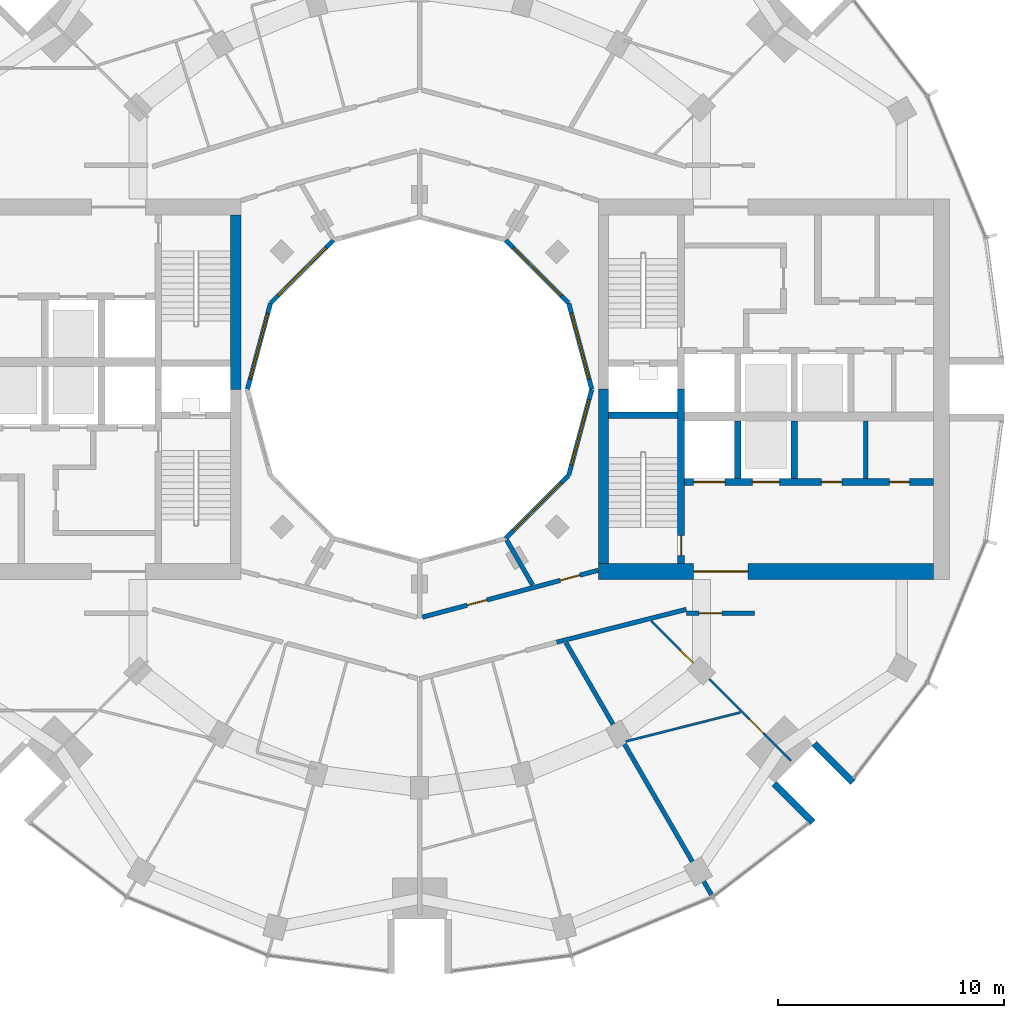
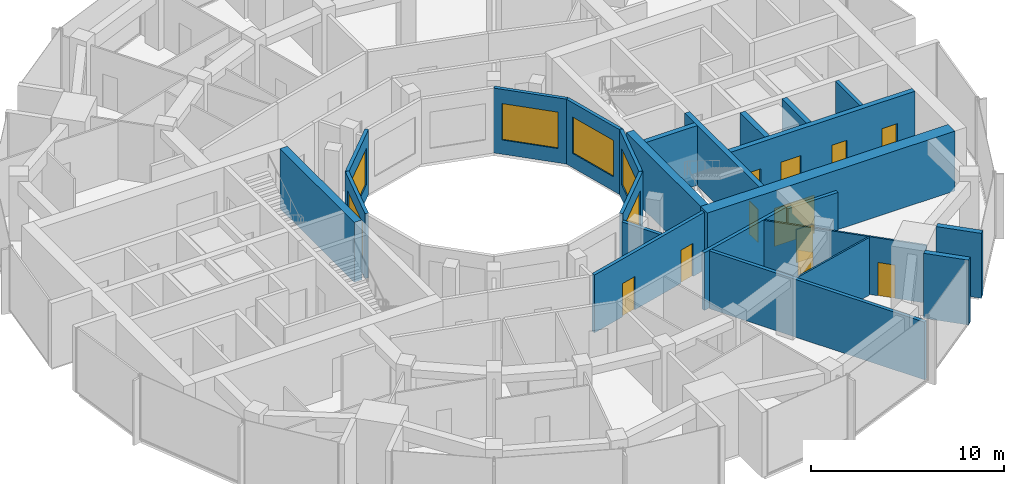
# One storey, part 10 of 15: 24 walls, 11 doors, 6 windows, 17 openings.
"""IFC4 building model written with IfcOpenShell, lengths in metres."""

from ifc_helpers import new_model, si_unit, direction, frame, frame_2d, origin, place, context, subcontext, project, spatial, rectangle, extrude, material, layer, layer_set, type_object, element, fill, save


model = new_model("IFC4")

# Units and contexts
model_context = context("Model", 3, precision=1e-05, world=origin(), true_north=direction((0.0, 1.0)))
body_context = subcontext(model_context, "Body", "Model", "MODEL_VIEW")
ifc_project = project(units=[si_unit("LENGTHUNIT", "METRE"), si_unit("AREAUNIT", "SQUARE_METRE"), si_unit("VOLUMEUNIT", "CUBIC_METRE"), si_unit("PLANEANGLEUNIT", "RADIAN"), si_unit("MASSUNIT", "GRAM", prefix="KILO")], contexts=[model_context])

# Site, building, storey
site_placement = place(None, origin())
site = spatial("IfcSite", under=ifc_project, at=site_placement, CompositionType="ELEMENT")
building_placement = place(site_placement, origin())
building = spatial("IfcBuilding", under=site, at=building_placement, Name="Torre Brocal", CompositionType="ELEMENT")
storey_placement = place(building_placement, frame((0.0, 0.0, 161.800048828125)))
storey = spatial("IfcBuildingStorey", under=building, at=storey_placement, Name="L37", CompositionType="ELEMENT", Elevation=161.800048828125)

# Wall
ifc_material_1 = material(Name="Masonry block", Category="masonry")
ifc_layer_1 = layer(ifc_material_1, 0.199951171875)
ifc_layer_set_1 = layer_set([ifc_layer_1], Name="Masonry block")
wall_type_1 = type_object("IfcWallType", Name="CORE PARTITION 200", PredefinedType="PARTITIONING", material=ifc_layer_set_1)
wall_1_placement = place(storey_placement, frame((99.699951171875, 71.050048828125, 0.0), z_axis=(0.0, 0.0, 1.0), x_axis=(0.0, 1.0, 0.0)))
element("IfcWall", 1, at=wall_1_placement, inside=storey, type_object=wall_type_1, Name="Wall CP200", PredefinedType="PARTITIONING", context=body_context, shape_type="SweptSolid", body=[
    extrude(rectangle(XDim=2.550048828125, YDim=0.199951171875, at=frame_2d((1.27490234375, 0.0))), origin(), (0.0, 0.0, 1.0), 3.780029296875),
])

# Wall, opening, door
ifc_material_2 = material(Name="Concrete C70", Category="concrete")
ifc_layer_2 = layer(ifc_material_2, 0.300048828125)
ifc_layer_set_2 = layer_set([ifc_layer_2], Name="Concrete C70")
wall_type_2 = type_object("IfcWallType", Name="CORE WALL 300 C70", PredefinedType="SHEAR", material=ifc_layer_set_2)
wall_2_placement = place(storey_placement, frame((91.550048828125, 67.300048828125, 0.0), z_axis=(0.0, 0.0, 1.0), x_axis=(0.0, 1.0, 0.0)))
wall_2 = element("IfcWall", 2, at=wall_2_placement, inside=storey, type_object=wall_type_2, Name="Wall CW300-70", PredefinedType="SHEAR", context=body_context, shape_type="SweptSolid", body=[
    extrude(rectangle(XDim=7.699951171875, YDim=0.300048828125, at=frame_2d((3.85009765625, 0.0))), origin(), (0.0, 0.0, 1.0), 3.780029296875),
])
opening_1_placement = place(wall_2_placement, frame((0.35009765625, 0.0, 0.0)))
opening_1 = element("IfcOpeningElement", 3, at=opening_1_placement, cuts=wall_2, Name="Opening E-D03", PredefinedType="OPENING", context=body_context, shape_type="SweptSolid", body=[
    extrude(rectangle(XDim=0.89990234375, YDim=2.10009765625, at=frame_2d((0.449951171875, 1.050048828125))), frame((0.0, 0.159912109375, 0.0), z_axis=(0.0, -1.0, 0.0), x_axis=(1.0, 0.0, 0.0)), (0.0, 0.0, 1.0), 0.320068359375),
])
ifc_material_3 = material(Name="Steel A653", Category="steel")
door_type_1 = type_object("IfcDoorType", Name="STAIR DOOR FD120 900X2100", OperationType="SINGLE_SWING_RIGHT", PredefinedType="DOOR", material=ifc_material_3)
door_1_placement = place(opening_1_placement, origin())
door_1 = element("IfcDoor", 4, at=door_1_placement, inside=storey, type_object=door_type_1, Name="Door E-D03", OperationType="SINGLE_SWING_LEFT", OverallHeight=2.10009765625, OverallWidth=0.89990234375, PredefinedType="DOOR", context=body_context, shape_type="SweptSolid", body=[
    extrude(rectangle(XDim=0.89990234375, YDim=2.10009765625, at=frame_2d((0.449951171875, 1.050048828125))), frame((0.0, 0.02490234375, 0.0), z_axis=(0.0, -1.0, 0.0), x_axis=(1.0, 0.0, 0.0)), (0.0, 0.0, 1.0), 0.050048828125),
])
fill(opening_1, door_1)

# Wall
wall_3_placement = place(storey_placement, frame((88.35009765625, 73.85009765625, 0.0), z_axis=(0.0, 0.0, 1.0), x_axis=(1.0, 0.0, 0.0)))
element("IfcWall", 5, at=wall_3_placement, inside=storey, type_object=wall_type_2, Name="Wall CW300-70", PredefinedType="SHEAR", context=body_context, shape_type="SweptSolid", body=[
    extrude(rectangle(XDim=3.0498046875, YDim=0.300048828125, at=frame_2d((1.52490234375, 0.0))), origin(), (0.0, 0.0, 1.0), 3.780029296875),
])

# Wall, openings, doors
wall_4_placement = place(storey_placement, frame((91.699951171875, 70.89990234375, 0.0), z_axis=(0.0, 0.0, 1.0), x_axis=(1.0, 0.0, 0.0)))
wall_4 = element("IfcWall", 6, at=wall_4_placement, inside=storey, type_object=wall_type_2, Name="Wall CW300-70", PredefinedType="SHEAR", context=body_context, shape_type="SweptSolid", body=[
    extrude(rectangle(XDim=11.0, YDim=0.300048828125, at=frame_2d((5.5, 0.0))), origin(), (0.0, 0.0, 1.0), 3.780029296875),
])
opening_2_placement = place(wall_4_placement, frame((0.39990234375, 0.0, 0.0)))
opening_2 = element("IfcOpeningElement", 7, at=opening_2_placement, cuts=wall_4, Name="Opening LD14", PredefinedType="OPENING", context=body_context, shape_type="SweptSolid", body=[
    extrude(rectangle(XDim=1.39990234375, YDim=2.10009765625, at=frame_2d((0.699951171875, 1.050048828125))), frame((0.0, 0.159912109375, 0.0), z_axis=(0.0, -1.0, 0.0), x_axis=(1.0, 0.0, 0.0)), (0.0, 0.0, 1.0), 0.320068359375),
])
opening_3_placement = place(wall_4_placement, frame((3.0, 0.0, 0.0)))
opening_3 = element("IfcOpeningElement", 8, at=opening_3_placement, cuts=wall_4, Name="Opening LD12", PredefinedType="OPENING", context=body_context, shape_type="SweptSolid", body=[
    extrude(rectangle(XDim=1.199951171875, YDim=2.10009765625, at=frame_2d((0.60009765625, 1.050048828125))), frame((0.0, 0.159912109375, 0.0), z_axis=(0.0, -1.0, 0.0), x_axis=(1.0, 0.0, 0.0)), (0.0, 0.0, 1.0), 0.320068359375),
])
opening_4_placement = place(wall_4_placement, frame((6.050048828125, 0.0, 0.0)))
opening_4 = element("IfcOpeningElement", 9, at=opening_4_placement, cuts=wall_4, Name="Opening E-D06", PredefinedType="OPENING", context=body_context, shape_type="SweptSolid", body=[
    extrude(rectangle(XDim=0.89990234375, YDim=2.10009765625, at=frame_2d((0.449951171875, 1.050048828125))), frame((0.0, 0.159912109375, 0.0), z_axis=(0.0, -1.0, 0.0), x_axis=(1.0, 0.0, 0.0)), (0.0, 0.0, 1.0), 0.320068359375),
])
opening_5_placement = place(wall_4_placement, frame((9.050048828125, 0.0, 0.0)))
opening_5 = element("IfcOpeningElement", 10, at=opening_5_placement, cuts=wall_4, Name="Opening E-D07", PredefinedType="OPENING", context=body_context, shape_type="SweptSolid", body=[
    extrude(rectangle(XDim=0.89990234375, YDim=2.10009765625, at=frame_2d((0.449951171875, 1.050048828125))), frame((0.0, 0.159912109375, 0.0), z_axis=(0.0, -1.0, 0.0), x_axis=(1.0, 0.0, 0.0)), (0.0, 0.0, 1.0), 0.320068359375),
])
ifc_material_4 = material(Name="Stainless steel AISI 316", Category="steel")
door_type_2 = type_object("IfcDoorType", Name="LIFT LANDING DOOR 1200X2100", OperationType="DOUBLE_DOOR_SLIDING", PredefinedType="DOOR", material=ifc_material_4)
door_2_placement = place(opening_3_placement, origin())
door_2 = element("IfcDoor", 11, at=door_2_placement, inside=storey, type_object=door_type_2, Name="Door LD12", OperationType="DOUBLE_DOOR_SLIDING", OverallHeight=2.10009765625, OverallWidth=1.199951171875, PredefinedType="DOOR", context=body_context, shape_type="SweptSolid", body=[
    extrude(rectangle(XDim=1.199951171875, YDim=2.10009765625, at=frame_2d((0.60009765625, 1.050048828125))), frame((0.0, 0.02490234375, 0.0), z_axis=(0.0, -1.0, 0.0), x_axis=(1.0, 0.0, 0.0)), (0.0, 0.0, 1.0), 0.050048828125),
])
fill(opening_3, door_2)
ifc_material_5 = material(Name="Stainless steel AISI 316", Category="steel")
door_type_3 = type_object("IfcDoorType", Name="LIFT LANDING DOOR 1400X2100", OperationType="DOUBLE_DOOR_SLIDING", PredefinedType="DOOR", material=ifc_material_5)
door_3_placement = place(opening_2_placement, origin())
door_3 = element("IfcDoor", 12, at=door_3_placement, inside=storey, type_object=door_type_3, Name="Door LD14", OperationType="DOUBLE_DOOR_SLIDING", OverallHeight=2.10009765625, OverallWidth=1.39990234375, PredefinedType="DOOR", context=body_context, shape_type="SweptSolid", body=[
    extrude(rectangle(XDim=1.39990234375, YDim=2.10009765625, at=frame_2d((0.699951171875, 1.050048828125))), frame((0.0, 0.02490234375, 0.0), z_axis=(0.0, -1.0, 0.0), x_axis=(1.0, 0.0, 0.0)), (0.0, 0.0, 1.0), 0.050048828125),
])
fill(opening_2, door_3)
ifc_material_6 = material(Name="Steel A653", Category="steel")
door_type_4 = type_object("IfcDoorType", Name="ROOM DOOR FD30S 900X2100", OperationType="SINGLE_SWING_LEFT", PredefinedType="DOOR", material=ifc_material_6)
door_4_placement = place(opening_4_placement, origin())
door_4 = element("IfcDoor", 13, at=door_4_placement, inside=storey, type_object=door_type_4, Name="Door E-D06", OperationType="SINGLE_SWING_RIGHT", OverallHeight=2.10009765625, OverallWidth=0.89990234375, PredefinedType="DOOR", context=body_context, shape_type="SweptSolid", body=[
    extrude(rectangle(XDim=0.89990234375, YDim=2.10009765625, at=frame_2d((0.449951171875, 1.050048828125))), frame((0.0, 0.02490234375, 0.0), z_axis=(0.0, -1.0, 0.0), x_axis=(1.0, 0.0, 0.0)), (0.0, 0.0, 1.0), 0.050048828125),
])
fill(opening_4, door_4)
door_5_placement = place(opening_5_placement, origin())
door_5 = element("IfcDoor", 14, at=door_5_placement, inside=storey, type_object=door_type_4, Name="Door E-D07", OperationType="SINGLE_SWING_LEFT", OverallHeight=2.10009765625, OverallWidth=0.89990234375, PredefinedType="DOOR", context=body_context, shape_type="SweptSolid", body=[
    extrude(rectangle(XDim=0.89990234375, YDim=2.10009765625, at=frame_2d((0.449951171875, 1.050048828125))), frame((0.0, 0.02490234375, 0.0), z_axis=(0.0, -1.0, 0.0), x_axis=(1.0, 0.0, 0.0)), (0.0, 0.0, 1.0), 0.050048828125),
])
fill(opening_5, door_5)

# Walls
for number, where, z_axis, x_axis, name in (
    (15, (94.050048828125, 71.050048828125, 0.0), (0.0, 0.0, 1.0), (0.0, 1.0, 0.0), "Wall CW300-70"),
    (16, (96.550048828125, 71.050048828125, 0.0), (0.0, 0.0, 1.0), (0.0, 1.0, 0.0), "Wall CW300-70"),
):
    element("IfcWall", number, at=place(storey_placement, frame(where, z_axis=z_axis, x_axis=x_axis)), inside=storey, type_object=wall_type_2, Name=name, PredefinedType="SHEAR", context=body_context, shape_type="SweptSolid", body=[
        extrude(rectangle(XDim=2.550048828125, YDim=0.300048828125, at=frame_2d((1.27490234375, 0.0))), origin(), (0.0, 0.0, 1.0), 3.780029296875),
    ])
ifc_material_7 = material(Name="Concrete C70", Category="concrete")
ifc_layer_3 = layer(ifc_material_7, 0.449951171875)
ifc_layer_set_3 = layer_set([ifc_layer_3], Name="Concrete C70")
wall_type_3 = type_object("IfcWallType", Name="CORE WALL 450 C70", PredefinedType="SHEAR", material=ifc_layer_set_3)
for number, where, z_axis, x_axis, name in (
    (17, (88.125, 67.300048828125, 0.0), (0.0, 0.0, 1.0), (0.0, 1.0, 0.0), "Wall CW450-70"),
    (18, (71.875, 82.699951171875, 0.0), (0.0, 0.0, 1.0), (0.0, -1.0, 0.0), "Wall CW450-70"),
):
    element("IfcWall", number, at=place(storey_placement, frame(where, z_axis=z_axis, x_axis=x_axis)), inside=storey, type_object=wall_type_3, Name=name, PredefinedType="SHEAR", context=body_context, shape_type="SweptSolid", body=[
        extrude(rectangle(XDim=7.699951171875, YDim=0.449951171875, at=frame_2d((3.85009765625, 0.0))), origin(), (0.0, 0.0, 1.0), 3.780029296875),
    ])

# Wall, opening, door
ifc_material_8 = material(Name="Concrete C70", Category="concrete")
ifc_layer_4 = layer(ifc_material_8, 0.699951171875)
ifc_layer_set_4 = layer_set([ifc_layer_4], Name="Concrete C70")
wall_type_4 = type_object("IfcWallType", Name="CORE WALL 700 C70", PredefinedType="SHEAR", material=ifc_layer_set_4)
wall_5_placement = place(storey_placement, frame((87.89990234375, 66.949951171875, 0.0), z_axis=(0.0, 0.0, 1.0), x_axis=(1.0, 0.0, 0.0)))
wall_5 = element("IfcWall", 19, at=wall_5_placement, inside=storey, type_object=wall_type_4, Name="Wall CW700-70", PredefinedType="SHEAR", context=body_context, shape_type="SweptSolid", body=[
    extrude(rectangle(XDim=14.800048828125, YDim=0.699951171875, at=frame_2d((7.39990234375, 0.0))), origin(), (0.0, 0.0, 1.0), 3.780029296875),
])
opening_6_placement = place(wall_5_placement, frame((4.199951171875, 0.0, 0.0)))
opening_6 = element("IfcOpeningElement", 20, at=opening_6_placement, cuts=wall_5, Name="Opening E-D12", PredefinedType="OPENING", context=body_context, shape_type="SweptSolid", body=[
    extrude(rectangle(XDim=2.39990234375, YDim=2.39990234375, at=frame_2d((1.199951171875, 1.199951171875))), frame((0.0, 0.35986328125, 0.0), z_axis=(0.0, -1.0, 0.0), x_axis=(1.0, 0.0, 0.0)), (0.0, 0.0, 1.0), 0.719970703125),
])
ifc_material_9 = material(Name="Steel A653", Category="steel")
door_type_5 = type_object("IfcDoorType", Name="DOUBLE FIRE DOOR FD90 2400X2400", OperationType="DOUBLE_DOOR_SINGLE_SWING", PredefinedType="DOOR", material=ifc_material_9)
door_6_placement = place(opening_6_placement, origin())
door_6 = element("IfcDoor", 21, at=door_6_placement, inside=storey, type_object=door_type_5, Name="Door E-D12", OperationType="DOUBLE_DOOR_SINGLE_SWING", OverallHeight=2.39990234375, OverallWidth=2.39990234375, PredefinedType="DOOR", context=body_context, shape_type="SweptSolid", body=[
    extrude(rectangle(XDim=2.39990234375, YDim=2.39990234375, at=frame_2d((1.199951171875, 1.199951171875))), frame((0.0, 0.02490234375, 0.0), z_axis=(0.0, -1.0, 0.0), x_axis=(1.0, 0.0, 0.0)), (0.0, 0.0, 1.0), 0.050048828125),
])
fill(opening_6, door_6)

# Walls
ifc_material_10 = material(Name="Concrete C70", Category="concrete")
ifc_layer_5 = layer(ifc_material_10, 0.300048828125)
ifc_layer_set_5 = layer_set([ifc_layer_5], Name="Concrete C70")
wall_type_5 = type_object("IfcWallType", Name="NOTCH RETURN WALL 300 C70", PredefinedType="NOTDEFINED", material=ifc_layer_set_5)
for number, where, z_axis, x_axis, name in (
    (22, (95.662353515625, 57.56982421875, 0.0), (0.0, 0.0, 1.0), (0.707106781187, -0.707106781187, 0.0), "NOTCH RETURN WALL"),
    (23, (97.43017578125, 59.337646484375, 0.0), (0.0, 0.0, 1.0), (0.707106781187, -0.707106781187, 0.0), "NOTCH RETURN WALL"),
):
    element("IfcWall", number, at=place(storey_placement, frame(where, z_axis=z_axis, x_axis=x_axis)), inside=storey, type_object=wall_type_5, Name=name, PredefinedType="NOTDEFINED", context=body_context, shape_type="SweptSolid", body=[
        extrude(rectangle(XDim=2.415771484375, YDim=0.300048828125, at=frame_2d((1.2080078125, 0.0))), origin(), (0.0, 0.0, 1.0), 4.099853515625),
    ])
ifc_material_11 = material(Name="Gypsum board", Category="Gypsum")
ifc_layer_6 = layer(ifc_material_11, 0.10009765625)
ifc_layer_set_6 = layer_set([ifc_layer_6], Name="Gypsum board")
wall_type_6 = type_object("IfcWallType", Name="PARTITION 100", PredefinedType="PARTITIONING", material=ifc_layer_set_6)
wall_6_placement = place(storey_placement, frame((89.105712890625, 59.44091796875, 0.0), z_axis=(0.0, 0.0, 1.0), x_axis=(0.969462385749, 0.245240051009, 0.0)))
element("IfcWall", 24, at=wall_6_placement, inside=storey, type_object=wall_type_6, Name="BATHROOM WALL", PredefinedType="PARTITIONING", context=body_context, shape_type="SweptSolid", body=[
    extrude(rectangle(XDim=5.223388671875, YDim=0.10009765625, at=frame_2d((2.61181640625, 0.0))), origin(), (0.0, 0.0, 1.0), 3.64990234375),
])

# Wall, openings, doors
wall_7_placement = place(storey_placement, frame((90.23583984375, 64.7578125, 0.0), z_axis=(0.0, 0.0, 1.0), x_axis=(0.706938769128, -0.707274753334, 0.0)))
wall_7 = element("IfcWall", 25, at=wall_7_placement, inside=storey, type_object=wall_type_6, Name="BATHROOM WALL", PredefinedType="PARTITIONING", context=body_context, shape_type="SweptSolid", body=[
    extrude(rectangle(XDim=8.7197265625, YDim=0.10009765625, at=frame_2d((4.35986328125, 0.0))), origin(), (0.0, 0.0, 1.0), 3.64990234375),
])
opening_7_placement = place(wall_7_placement, frame((6.114501953125, 0.0, 0.0)))
opening_7 = element("IfcOpeningElement", 26, at=opening_7_placement, cuts=wall_7, Name="Opening R01-D20", PredefinedType="OPENING", context=body_context, shape_type="SweptSolid", body=[
    extrude(rectangle(XDim=0.89990234375, YDim=2.10009765625, at=frame_2d((0.449951171875, 1.050048828125))), frame((0.0, 0.06005859375, 0.0), z_axis=(0.0, -1.0, 0.0), x_axis=(1.0, 0.0, 0.0)), (0.0, 0.0, 1.0), 0.1201171875),
])
opening_8_placement = place(wall_7_placement, frame((1.817138671875, 0.0, 0.0)))
opening_8 = element("IfcOpeningElement", 27, at=opening_8_placement, cuts=wall_7, Name="Opening R01-D21", PredefinedType="OPENING", context=body_context, shape_type="SweptSolid", body=[
    extrude(rectangle(XDim=0.800048828125, YDim=2.10009765625, at=frame_2d((0.39990234375, 1.050048828125))), frame((0.0, 0.06005859375, 0.0), z_axis=(0.0, -1.0, 0.0), x_axis=(1.0, 0.0, 0.0)), (0.0, 0.0, 1.0), 0.1201171875),
])
ifc_material_12 = material(Name="Timber", Category="wood")
door_type_6 = type_object("IfcDoorType", Name="BATHROOM DOOR 800X2100", OperationType="SINGLE_SWING_LEFT", PredefinedType="DOOR", material=ifc_material_12)
door_7_placement = place(opening_8_placement, frame((0.800048828125, 0.0, 0.0), z_axis=(0.0, 0.0, 1.0), x_axis=(-1.0, 0.0, 0.0)))
door_7 = element("IfcDoor", 28, at=door_7_placement, inside=storey, type_object=door_type_6, Name="R01-D21", OperationType="SINGLE_SWING_RIGHT", OverallHeight=2.10009765625, OverallWidth=0.800048828125, PredefinedType="DOOR", context=body_context, shape_type="SweptSolid", body=[
    extrude(rectangle(XDim=0.800048828125, YDim=2.10009765625, at=frame_2d((0.39990234375, 1.050048828125))), frame((0.0, 0.02490234375, 0.0), z_axis=(0.0, -1.0, 0.0), x_axis=(1.0, 0.0, 0.0)), (0.0, 0.0, 1.0), 0.050048828125),
])
fill(opening_8, door_7)
ifc_material_13 = material(Name="Timber", Category="wood")
door_type_7 = type_object("IfcDoorType", Name="ROOM DOOR 900X2100", OperationType="SINGLE_SWING_LEFT", PredefinedType="DOOR", material=ifc_material_13)
door_8_placement = place(opening_7_placement, origin())
door_8 = element("IfcDoor", 29, at=door_8_placement, inside=storey, type_object=door_type_7, Name="R01-D20", OperationType="SINGLE_SWING_LEFT", OverallHeight=2.10009765625, OverallWidth=0.89990234375, PredefinedType="DOOR", context=body_context, shape_type="SweptSolid", body=[
    extrude(rectangle(XDim=0.89990234375, YDim=2.10009765625, at=frame_2d((0.449951171875, 1.050048828125))), frame((0.0, 0.02490234375, 0.0), z_axis=(0.0, -1.0, 0.0), x_axis=(1.0, 0.0, 0.0)), (0.0, 0.0, 1.0), 0.050048828125),
])
fill(opening_7, door_8)

ifc_material_14 = material(Name="Gypsum board", Category="Gypsum")
ifc_layer_7 = layer(ifc_material_14, 0.199951171875)
ifc_layer_set_7 = layer_set([ifc_layer_7], Name="Gypsum board")
wall_type_7 = type_object("IfcWallType", Name="PARTITION 200 EI60", PredefinedType="PARTITIONING", material=ifc_layer_set_7)
wall_8_placement = place(storey_placement, frame((80.125, 64.931640625, 0.0), z_axis=(0.0, 0.0, 1.0), x_axis=(0.966236955806, 0.257655089674, 0.0)))
wall_8 = element("IfcWall", 30, at=wall_8_placement, inside=storey, type_object=wall_type_7, Name="CORRIDOR WALL", PredefinedType="PARTITIONING", context=body_context, shape_type="SweptSolid", body=[
    extrude(rectangle(XDim=8.0390625, YDim=0.199951171875, at=frame_2d((4.01953125, 0.0))), origin(), (0.0, 0.0, 1.0), 3.64990234375),
])
opening_9_placement = place(wall_8_placement, frame((6.298095703125, 0.0, 0.0)))
opening_9 = element("IfcOpeningElement", 31, at=opening_9_placement, cuts=wall_8, Name="Opening R01-D35", PredefinedType="OPENING", context=body_context, shape_type="SweptSolid", body=[
    extrude(rectangle(XDim=0.89990234375, YDim=2.10009765625, at=frame_2d((0.449951171875, 1.050048828125))), frame((0.0, 0.10986328125, 0.0), z_axis=(0.0, -1.0, 0.0), x_axis=(1.0, 0.0, 0.0)), (0.0, 0.0, 1.0), 0.219970703125),
])
opening_10_placement = place(wall_8_placement, frame((2.044921875, 0.0, 0.0)))
opening_10 = element("IfcOpeningElement", 32, at=opening_10_placement, cuts=wall_8, Name="Opening R01-D36", PredefinedType="OPENING", context=body_context, shape_type="SweptSolid", body=[
    extrude(rectangle(XDim=0.89990234375, YDim=2.10009765625, at=frame_2d((0.449951171875, 1.050048828125))), frame((0.0, 0.10986328125, 0.0), z_axis=(0.0, -1.0, 0.0), x_axis=(1.0, 0.0, 0.0)), (0.0, 0.0, 1.0), 0.219970703125),
])
door_9_placement = place(opening_9_placement, origin())
door_9 = element("IfcDoor", 33, at=door_9_placement, inside=storey, type_object=door_type_7, Name="R01-D35", OperationType="SINGLE_SWING_RIGHT", OverallHeight=2.10009765625, OverallWidth=0.89990234375, PredefinedType="DOOR", context=body_context, shape_type="SweptSolid", body=[
    extrude(rectangle(XDim=0.89990234375, YDim=2.10009765625, at=frame_2d((0.449951171875, 1.050048828125))), frame((0.0, 0.02490234375, 0.0), z_axis=(0.0, -1.0, 0.0), x_axis=(1.0, 0.0, 0.0)), (0.0, 0.0, 1.0), 0.050048828125),
])
fill(opening_9, door_9)
door_10_placement = place(opening_10_placement, origin())
door_10 = element("IfcDoor", 34, at=door_10_placement, inside=storey, type_object=door_type_7, Name="R01-D36", OperationType="SINGLE_SWING_RIGHT", OverallHeight=2.10009765625, OverallWidth=0.89990234375, PredefinedType="DOOR", context=body_context, shape_type="SweptSolid", body=[
    extrude(rectangle(XDim=0.89990234375, YDim=2.10009765625, at=frame_2d((0.449951171875, 1.050048828125))), frame((0.0, 0.02490234375, 0.0), z_axis=(0.0, -1.0, 0.0), x_axis=(1.0, 0.0, 0.0)), (0.0, 0.0, 1.0), 0.050048828125),
])
fill(opening_10, door_10)

# Walls
wall_9_placement = place(storey_placement, frame((83.849609375, 68.333251953125, 0.0), z_axis=(0.0, 0.0, 1.0), x_axis=(0.499953638813, -0.866052168773, 0.0)))
element("IfcWall", 35, at=wall_9_placement, inside=storey, type_object=wall_type_7, Name="SERVICE ROOM WALL", PredefinedType="PARTITIONING", context=body_context, shape_type="SweptSolid", body=[
    extrude(rectangle(XDim=2.285400390625, YDim=0.199951171875, at=frame_2d((1.142578125, 0.0))), origin(), (0.0, 0.0, 1.0), 3.64990234375),
])
wall_10_placement = place(storey_placement, frame((86.052978515625, 63.826171875, 0.0), z_axis=(0.0, 0.0, 1.0), x_axis=(0.969490004987, 0.245130843083, 0.0)))
element("IfcWall", 36, at=wall_10_placement, inside=storey, type_object=wall_type_7, Name="FLAT ENTRANCE WALL", PredefinedType="PARTITIONING", context=body_context, shape_type="SweptSolid", body=[
    extrude(rectangle(XDim=5.907958984375, YDim=0.199951171875, at=frame_2d((2.9541015625, 0.0))), origin(), (0.0, 0.0, 1.0), 3.64990234375),
])
wall_11_placement = place(storey_placement, frame((86.4658203125, 63.80126953125, 0.0), z_axis=(0.0, 0.0, 1.0), x_axis=(0.499951314491, -0.866053510551, 0.0)))
element("IfcWall", 37, at=wall_11_placement, inside=storey, type_object=wall_type_7, Name="BATHROOM WALL", PredefinedType="PARTITIONING", context=body_context, shape_type="SweptSolid", body=[
    extrude(rectangle(XDim=12.866455078125, YDim=0.199951171875, at=frame_2d((6.43310546875, 0.0))), origin(), (0.0, 0.0, 1.0), 3.64990234375),
])

# Wall, opening, door
wall_12_placement = place(storey_placement, frame((91.800048828125, 65.10009765625, 0.0), z_axis=(0.0, 0.0, 1.0), x_axis=(1.0, 0.0, 0.0)))
wall_12 = element("IfcWall", 38, at=wall_12_placement, inside=storey, type_object=wall_type_7, Name="FLAT ENTRANCE WALL", PredefinedType="PARTITIONING", context=body_context, shape_type="SweptSolid", body=[
    extrude(rectangle(XDim=3.0, YDim=0.199951171875, at=frame_2d((1.5, 0.0))), origin(), (0.0, 0.0, 1.0), 3.64990234375),
])
opening_11_placement = place(wall_12_placement, frame((0.550048828125, 0.0, 0.0)))
opening_11 = element("IfcOpeningElement", 39, at=opening_11_placement, cuts=wall_12, Name="Opening R01-D19", PredefinedType="OPENING", context=body_context, shape_type="SweptSolid", body=[
    extrude(rectangle(XDim=1.0, YDim=2.10009765625, at=frame_2d((0.5, 1.050048828125))), frame((0.0, 0.10986328125, 0.0), z_axis=(0.0, -1.0, 0.0), x_axis=(1.0, 0.0, 0.0)), (0.0, 0.0, 1.0), 0.219970703125),
])
ifc_material_15 = material(Name="Timber", Category="wood")
door_type_8 = type_object("IfcDoorType", Name="FLAT ENTRY DOOR FD30S 1000X2100", OperationType="SINGLE_SWING_RIGHT", PredefinedType="DOOR", material=ifc_material_15)
door_11_placement = place(opening_11_placement, frame((1.0, 0.0, 0.0), z_axis=(0.0, 0.0, 1.0), x_axis=(-1.0, 0.0, 0.0)))
door_11 = element("IfcDoor", 40, at=door_11_placement, inside=storey, type_object=door_type_8, Name="R01-D19", OperationType="SINGLE_SWING_RIGHT", OverallHeight=2.10009765625, OverallWidth=1.0, PredefinedType="DOOR", context=body_context, shape_type="SweptSolid", body=[
    extrude(rectangle(XDim=1.0, YDim=2.10009765625, at=frame_2d((0.5, 1.050048828125))), frame((0.0, 0.02490234375, 0.0), z_axis=(0.0, -1.0, 0.0), x_axis=(1.0, 0.0, 0.0)), (0.0, 0.0, 1.0), 0.050048828125),
])
fill(opening_11, door_11)

# Wall, opening, window
ifc_material_16 = material(Name="Concrete C40", Category="concrete")
ifc_layer_8 = layer(ifc_material_16, 0.199951171875)
ifc_layer_set_8 = layer_set([ifc_layer_8], Name="Concrete C40")
wall_type_8 = type_object("IfcWallType", Name="WELL FACADE WALL 200", PredefinedType="NOTDEFINED", material=ifc_layer_set_8)
wall_13_placement = place(storey_placement, frame((87.603515625, 75.0, 0.0), z_axis=(0.0, 0.0, 1.0), x_axis=(-0.258789828301, 0.965933654434, 0.0)))
wall_13 = element("IfcWall", 41, at=wall_13_placement, inside=storey, type_object=wall_type_8, Name="WELL FACADE WALL", PredefinedType="NOTDEFINED", context=body_context, shape_type="SweptSolid", body=[
    extrude(rectangle(XDim=3.935791015625, YDim=0.199951171875, at=frame_2d((1.9677734375, 0.0))), origin(), (0.0, 0.0, 1.0), 4.099853515625),
])
opening_12_placement = place(wall_13_placement, frame((0.468017578125, 0.0, 0.89990234375)))
opening_12 = element("IfcOpeningElement", 42, at=opening_12_placement, cuts=wall_13, Name="Opening W1", PredefinedType="OPENING", context=body_context, shape_type="SweptSolid", body=[
    extrude(rectangle(XDim=3.0, YDim=2.300048828125, at=frame_2d((1.5, 1.14990234375))), frame((0.0, 0.10986328125, 0.0), z_axis=(0.0, -1.0, 0.0), x_axis=(1.0, 0.0, 0.0)), (0.0, 0.0, 1.0), 0.219970703125),
])
ifc_material_17 = material(Name="Aluminium and glass", Category="aluminium")
window_type = type_object("IfcWindowType", Name="WELL WINDOW 3000X2300", PartitioningType="SINGLE_PANEL", PredefinedType="WINDOW", material=ifc_material_17)
window_1_placement = place(opening_12_placement, origin())
window_1 = element("IfcWindow", 43, at=window_1_placement, inside=storey, type_object=window_type, Name="WELL WINDOW 3000X2300", OverallHeight=2.300048828125, OverallWidth=3.0, PartitioningType="SINGLE_PANEL", PredefinedType="WINDOW", context=body_context, shape_type="SweptSolid", body=[
    extrude(rectangle(XDim=3.0, YDim=2.300048828125, at=frame_2d((1.5, 1.14990234375))), frame((0.0, 0.030029296875, 0.0), z_axis=(0.0, -1.0, 0.0), x_axis=(1.0, 0.0, 0.0)), (0.0, 0.0, 1.0), 0.06005859375),
])
fill(opening_12, window_1)

wall_14_placement = place(storey_placement, frame((86.5849609375, 78.8017578125, 0.0), z_axis=(0.0, 0.0, 1.0), x_axis=(-0.707106781187, 0.707106781187, 0.0)))
wall_14 = element("IfcWall", 44, at=wall_14_placement, inside=storey, type_object=wall_type_8, Name="WELL FACADE WALL", PredefinedType="NOTDEFINED", context=body_context, shape_type="SweptSolid", body=[
    extrude(rectangle(XDim=3.93603515625, YDim=0.199951171875, at=frame_2d((1.968017578125, 0.0))), origin(), (0.0, 0.0, 1.0), 4.099853515625),
])
opening_13_placement = place(wall_14_placement, frame((0.468017578125, 0.0, 0.89990234375)))
opening_13 = element("IfcOpeningElement", 45, at=opening_13_placement, cuts=wall_14, Name="Opening W1", PredefinedType="OPENING", context=body_context, shape_type="SweptSolid", body=[
    extrude(rectangle(XDim=3.0, YDim=2.300048828125, at=frame_2d((1.5, 1.14990234375))), frame((0.0, 0.10986328125, 0.0), z_axis=(0.0, -1.0, 0.0), x_axis=(1.0, 0.0, 0.0)), (0.0, 0.0, 1.0), 0.219970703125),
])
window_2_placement = place(opening_13_placement, origin())
window_2 = element("IfcWindow", 46, at=window_2_placement, inside=storey, type_object=window_type, Name="WELL WINDOW 3000X2300", OverallHeight=2.300048828125, OverallWidth=3.0, PartitioningType="SINGLE_PANEL", PredefinedType="WINDOW", context=body_context, shape_type="SweptSolid", body=[
    extrude(rectangle(XDim=3.0, YDim=2.300048828125, at=frame_2d((1.5, 1.14990234375))), frame((0.0, 0.030029296875, 0.0), z_axis=(0.0, -1.0, 0.0), x_axis=(1.0, 0.0, 0.0)), (0.0, 0.0, 1.0), 0.06005859375),
])
fill(opening_13, window_2)

wall_15_placement = place(storey_placement, frame((76.1982421875, 81.5849609375, 0.0), z_axis=(0.0, 0.0, 1.0), x_axis=(-0.707106781187, -0.707106781187, 0.0)))
wall_15 = element("IfcWall", 47, at=wall_15_placement, inside=storey, type_object=wall_type_8, Name="WELL FACADE WALL", PredefinedType="NOTDEFINED", context=body_context, shape_type="SweptSolid", body=[
    extrude(rectangle(XDim=3.93603515625, YDim=0.199951171875, at=frame_2d((1.968017578125, 0.0))), origin(), (0.0, 0.0, 1.0), 4.099853515625),
])
opening_14_placement = place(wall_15_placement, frame((0.468017578125, 0.0, 0.89990234375)))
opening_14 = element("IfcOpeningElement", 48, at=opening_14_placement, cuts=wall_15, Name="Opening W1", PredefinedType="OPENING", context=body_context, shape_type="SweptSolid", body=[
    extrude(rectangle(XDim=3.0, YDim=2.300048828125, at=frame_2d((1.5, 1.14990234375))), frame((0.0, 0.10986328125, 0.0), z_axis=(0.0, -1.0, 0.0), x_axis=(1.0, 0.0, 0.0)), (0.0, 0.0, 1.0), 0.219970703125),
])
window_3_placement = place(opening_14_placement, origin())
window_3 = element("IfcWindow", 49, at=window_3_placement, inside=storey, type_object=window_type, Name="WELL WINDOW 3000X2300", OverallHeight=2.300048828125, OverallWidth=3.0, PartitioningType="SINGLE_PANEL", PredefinedType="WINDOW", context=body_context, shape_type="SweptSolid", body=[
    extrude(rectangle(XDim=3.0, YDim=2.300048828125, at=frame_2d((1.5, 1.14990234375))), frame((0.0, 0.030029296875, 0.0), z_axis=(0.0, -1.0, 0.0), x_axis=(1.0, 0.0, 0.0)), (0.0, 0.0, 1.0), 0.06005859375),
])
fill(opening_14, window_3)

wall_16_placement = place(storey_placement, frame((73.4150390625, 78.8017578125, 0.0), z_axis=(0.0, 0.0, 1.0), x_axis=(-0.258789828301, -0.965933654434, 0.0)))
wall_16 = element("IfcWall", 50, at=wall_16_placement, inside=storey, type_object=wall_type_8, Name="WELL FACADE WALL", PredefinedType="NOTDEFINED", context=body_context, shape_type="SweptSolid", body=[
    extrude(rectangle(XDim=3.935791015625, YDim=0.199951171875, at=frame_2d((1.9677734375, 0.0))), origin(), (0.0, 0.0, 1.0), 4.099853515625),
])
opening_15_placement = place(wall_16_placement, frame((0.468017578125, 0.0, 0.89990234375)))
opening_15 = element("IfcOpeningElement", 51, at=opening_15_placement, cuts=wall_16, Name="Opening W1", PredefinedType="OPENING", context=body_context, shape_type="SweptSolid", body=[
    extrude(rectangle(XDim=3.0, YDim=2.300048828125, at=frame_2d((1.5, 1.14990234375))), frame((0.0, 0.10986328125, 0.0), z_axis=(0.0, -1.0, 0.0), x_axis=(1.0, 0.0, 0.0)), (0.0, 0.0, 1.0), 0.219970703125),
])
window_4_placement = place(opening_15_placement, origin())
window_4 = element("IfcWindow", 52, at=window_4_placement, inside=storey, type_object=window_type, Name="WELL WINDOW 3000X2300", OverallHeight=2.300048828125, OverallWidth=3.0, PartitioningType="SINGLE_PANEL", PredefinedType="WINDOW", context=body_context, shape_type="SweptSolid", body=[
    extrude(rectangle(XDim=3.0, YDim=2.300048828125, at=frame_2d((1.5, 1.14990234375))), frame((0.0, 0.030029296875, 0.0), z_axis=(0.0, -1.0, 0.0), x_axis=(1.0, 0.0, 0.0)), (0.0, 0.0, 1.0), 0.06005859375),
])
fill(opening_15, window_4)

wall_17_placement = place(storey_placement, frame((83.8017578125, 68.4150390625, 0.0), z_axis=(0.0, 0.0, 1.0), x_axis=(0.707106781187, 0.707106781187, 0.0)))
wall_17 = element("IfcWall", 53, at=wall_17_placement, inside=storey, type_object=wall_type_8, Name="WELL FACADE WALL", PredefinedType="NOTDEFINED", context=body_context, shape_type="SweptSolid", body=[
    extrude(rectangle(XDim=3.93603515625, YDim=0.199951171875, at=frame_2d((1.968017578125, 0.0))), origin(), (0.0, 0.0, 1.0), 4.099853515625),
])
opening_16_placement = place(wall_17_placement, frame((0.468017578125, 0.0, 0.89990234375)))
opening_16 = element("IfcOpeningElement", 54, at=opening_16_placement, cuts=wall_17, Name="Opening W1", PredefinedType="OPENING", context=body_context, shape_type="SweptSolid", body=[
    extrude(rectangle(XDim=3.0, YDim=2.300048828125, at=frame_2d((1.5, 1.14990234375))), frame((0.0, 0.10986328125, 0.0), z_axis=(0.0, -1.0, 0.0), x_axis=(1.0, 0.0, 0.0)), (0.0, 0.0, 1.0), 0.219970703125),
])
window_5_placement = place(opening_16_placement, origin())
window_5 = element("IfcWindow", 55, at=window_5_placement, inside=storey, type_object=window_type, Name="WELL WINDOW 3000X2300", OverallHeight=2.300048828125, OverallWidth=3.0, PartitioningType="SINGLE_PANEL", PredefinedType="WINDOW", context=body_context, shape_type="SweptSolid", body=[
    extrude(rectangle(XDim=3.0, YDim=2.300048828125, at=frame_2d((1.5, 1.14990234375))), frame((0.0, 0.030029296875, 0.0), z_axis=(0.0, -1.0, 0.0), x_axis=(1.0, 0.0, 0.0)), (0.0, 0.0, 1.0), 0.06005859375),
])
fill(opening_16, window_5)

wall_18_placement = place(storey_placement, frame((86.5849609375, 71.1982421875, 0.0), z_axis=(0.0, 0.0, 1.0), x_axis=(0.258789828301, 0.965933654434, 0.0)))
wall_18 = element("IfcWall", 56, at=wall_18_placement, inside=storey, type_object=wall_type_8, Name="WELL FACADE WALL", PredefinedType="NOTDEFINED", context=body_context, shape_type="SweptSolid", body=[
    extrude(rectangle(XDim=3.935791015625, YDim=0.199951171875, at=frame_2d((1.9677734375, 0.0))), origin(), (0.0, 0.0, 1.0), 4.099853515625),
])
opening_17_placement = place(wall_18_placement, frame((0.468017578125, 0.0, 0.89990234375)))
opening_17 = element("IfcOpeningElement", 57, at=opening_17_placement, cuts=wall_18, Name="Opening W1", PredefinedType="OPENING", context=body_context, shape_type="SweptSolid", body=[
    extrude(rectangle(XDim=3.0, YDim=2.300048828125, at=frame_2d((1.5, 1.14990234375))), frame((0.0, 0.10986328125, 0.0), z_axis=(0.0, -1.0, 0.0), x_axis=(1.0, 0.0, 0.0)), (0.0, 0.0, 1.0), 0.219970703125),
])
window_6_placement = place(opening_17_placement, origin())
window_6 = element("IfcWindow", 58, at=window_6_placement, inside=storey, type_object=window_type, Name="WELL WINDOW 3000X2300", OverallHeight=2.300048828125, OverallWidth=3.0, PartitioningType="SINGLE_PANEL", PredefinedType="WINDOW", context=body_context, shape_type="SweptSolid", body=[
    extrude(rectangle(XDim=3.0, YDim=2.300048828125, at=frame_2d((1.5, 1.14990234375))), frame((0.0, 0.030029296875, 0.0), z_axis=(0.0, -1.0, 0.0), x_axis=(1.0, 0.0, 0.0)), (0.0, 0.0, 1.0), 0.06005859375),
])
fill(opening_17, window_6)

save(model, "model.ifc")
